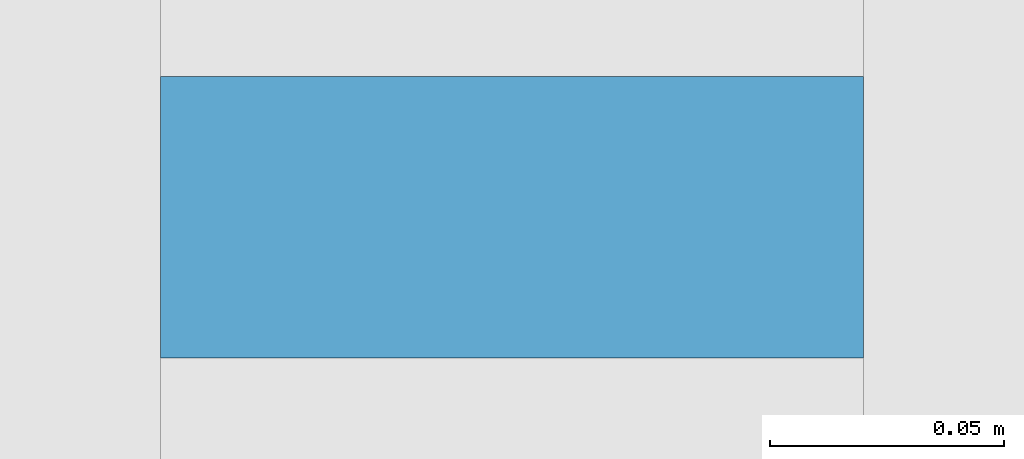
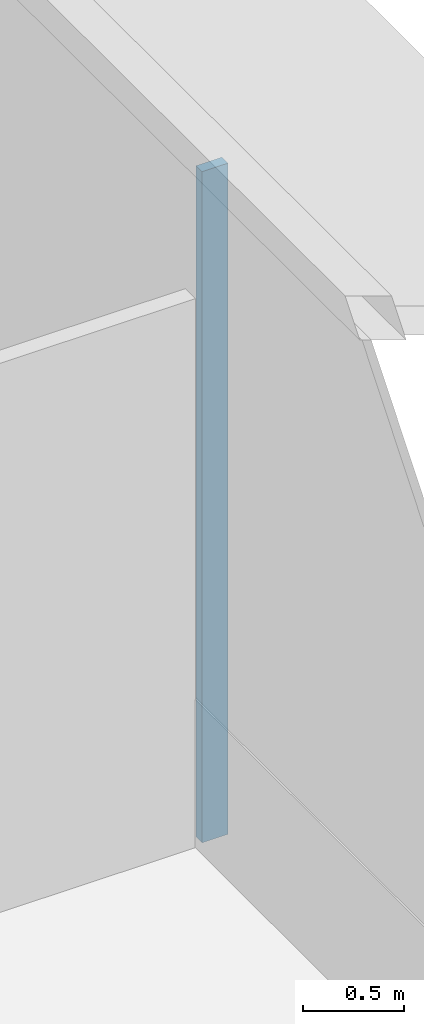
# One storey, part 13 of 22: 1 member, 1 element without a shape of its own.
"""IFC4 building model written with IfcOpenShell, lengths in metres."""

from ifc_helpers import new_model, si_unit, direction, frame, origin, origin_2d, place, context, subcontext, project, spatial, rectangle, extrude, source, transform, mapped, material, layer, layer_set, material_profile, profile_set, type_object, element, aggregate, save


model = new_model("IFC4")

# Units and contexts
model_context = context("Model", 3, precision=1e-05, world=origin(), true_north=direction((0.0, 1.0)))
body_context = subcontext(model_context, "Body", "Model", "MODEL_VIEW")
ifc_project = project(units=[si_unit("LENGTHUNIT", "METRE"), si_unit("AREAUNIT", "SQUARE_METRE"), si_unit("VOLUMEUNIT", "CUBIC_METRE"), si_unit("PLANEANGLEUNIT", "RADIAN"), si_unit("MASSUNIT", "GRAM", prefix="KILO")], contexts=[model_context])

# Site, building, storey
site_placement = place(None, origin())
site = spatial("IfcSite", under=ifc_project, at=site_placement, CompositionType="ELEMENT")
building_placement = place(site_placement, origin())
building = spatial("IfcBuilding", under=site, at=building_placement, Name="Trellis Farm Tower", CompositionType="ELEMENT")
storey_placement = place(building_placement, frame((0.0, 0.0, 56.5)))
storey = spatial("IfcBuildingStorey", under=building, at=storey_placement, Name="L11", CompositionType="ELEMENT", Elevation=56.5)

# Curtain wall, member
ifc_material_1 = material(Name="Aluminium and glass curtain wall", Category="aluminium")
ifc_layer = layer(ifc_material_1, 0.18994140625)
ifc_layer_set = layer_set([ifc_layer], Name="RIBBON CURTAIN WALL CW1")
curtain_wall_type = type_object("IfcCurtainWallType", Name="RIBBON CURTAIN WALL CW1", PredefinedType="NOTDEFINED", material=ifc_layer_set)
curtain_wall_placement = place(storey_placement, origin())
curtain_wall = element("IfcCurtainWall", 1, at=curtain_wall_placement, inside=storey, type_object=curtain_wall_type, Name="CW1 007", PredefinedType="NOTDEFINED")
ifc_material_2 = material(Name="Aluminium extrusion 6063-T6", Category="aluminium")
ifc_material_profile = material_profile(ifc_material_2, rectangle(XDim=0.06005859375, YDim=0.14990234375, at=origin_2d()), Name="MULLION 60x150")
ifc_profile_set = profile_set([ifc_material_profile], Name="Aluminium extrusion 6063-T6")
member_type = type_object("IfcMemberType", Name="CW1 MULLION 60x150", PredefinedType="MULLION", material=ifc_profile_set)
shared_shape = source(origin(), body_context, "Body", "SweptSolid", [
    extrude(rectangle(XDim=0.06005859375, YDim=0.14990234375, at=origin_2d()), origin(), (0.0, 0.0, 1.0), 4.070068359375),
])
member_placement = place(storey_placement, frame((32.425048828125, 0.0, 0.0), z_axis=(0.0, 0.0, 1.0), x_axis=(0.0, 1.0, 0.0)))
member = element("IfcMember", 2, at=member_placement, type_object=member_type, Name="MU1 007-01", PredefinedType="MULLION", context=body_context, shape_type="MappedRepresentation", body=[
    mapped(shared_shape, transform((0.0, 0.0, 0.0))),
])
aggregate(curtain_wall, [member])

save(model, "model.ifc")
